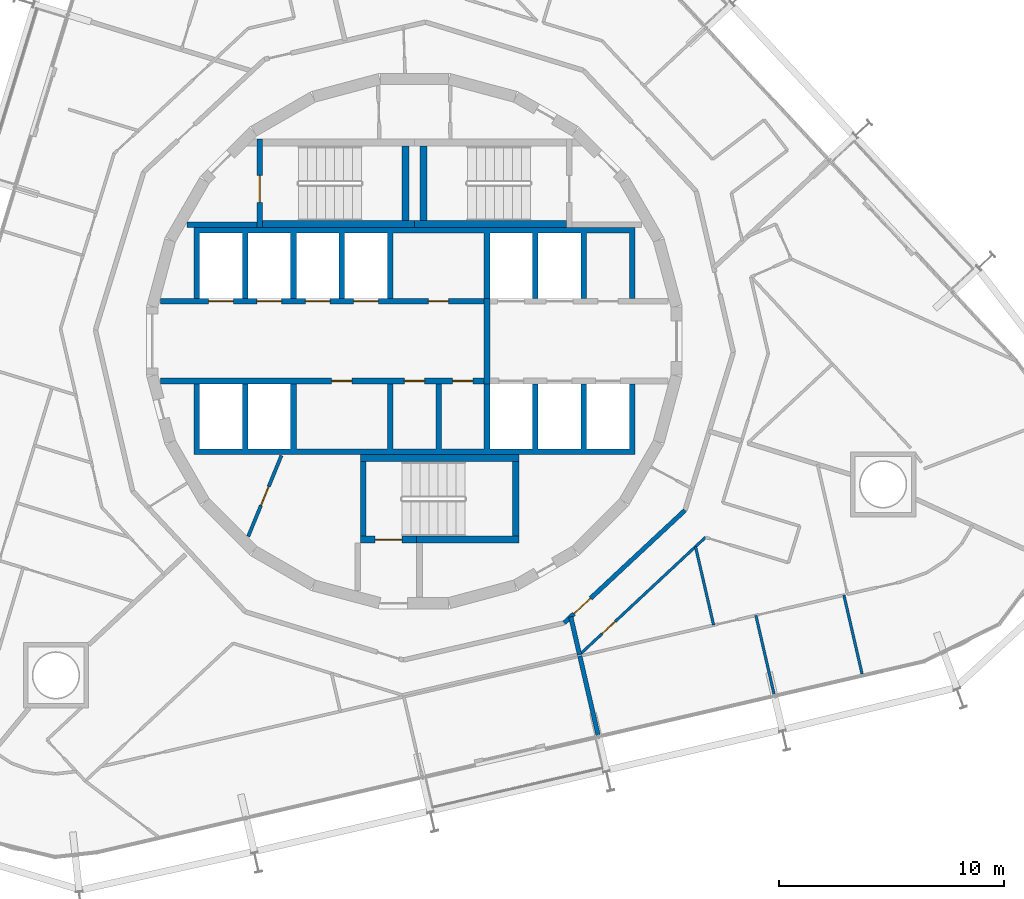
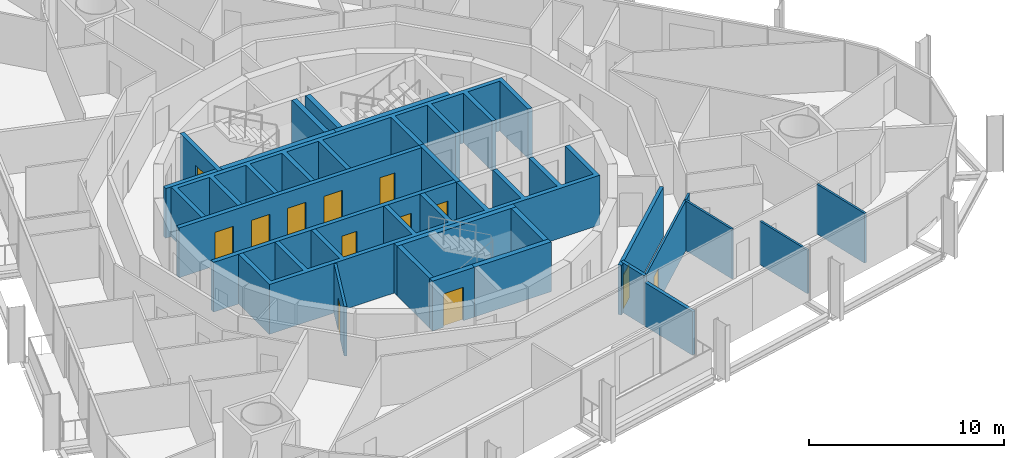
# One storey, part 13 of 18: 24 walls, 13 doors, 13 openings.
"""IFC4 building model written with IfcOpenShell, lengths in metres."""

import ifcopenshell
import ifcopenshell.guid

model = None  # the IFC model being written
_history = None  # IfcOwnerHistory: only IFC2X3 demands one
_inside = {}  # id of a spatial element -> (the spatial element, [elements in it])
_under = {}  # id of a project, library or spatial element -> (it, [spatial elements below it])
_declared = {}  # id of a project -> (the project, [libraries it declares])
_typed = {}  # id of a type object -> (the type object, [elements of that type])
_made_of = {}  # id of a material, layer set ... -> (it, [elements and type objects made of it])


def new_model(schema):
    """Start an empty IFC model of exactly this schema.

    Asked for "IFC4X3", IfcOpenShell would pick the latest addendum, in which some entities
    have other attributes; the version numbers below select the first issue.
    IFC2X3 requires an IfcOwnerHistory on every rooted entity: one is made here for all.
    """
    global model, _history
    if schema == "IFC4X3":
        model = ifcopenshell.file(schema_version=(4, 3, 0, 0))
    else:
        model = ifcopenshell.file(schema=schema)
    _inside.clear()
    _under.clear()
    _declared.clear()
    _typed.clear()
    _made_of.clear()
    _history = None
    if model.schema == "IFC2X3":
        org = make("IfcOrganization", Name="unknown")
        user = make(
            "IfcPersonAndOrganization",
            ThePerson=make("IfcPerson", FamilyName="unknown"),
            TheOrganization=org,
        )
        app = make(
            "IfcApplication",
            ApplicationDeveloper=org,
            Version="unknown",
            ApplicationFullName="unknown",
            ApplicationIdentifier="unknown",
        )
        _history = make(
            "IfcOwnerHistory",
            OwningUser=user,
            OwningApplication=app,
            ChangeAction="ADDED",
            CreationDate=0,
        )
    return model


def make(cls, **values):
    """One entity of the class cls with the attributes given. An attribute that is None is left unset."""
    return model.create_entity(
        cls, **{name: value for name, value in values.items() if value is not None}
    )


def rooted(cls, **values):
    """An entity with a GlobalId (a new one), such as an element, a storey or a relation."""
    return make(cls, GlobalId=ifcopenshell.guid.new(), OwnerHistory=_history, **values)


def si_unit(unit_type, name, prefix=None):
    """IfcSIUnit, for example si_unit("LENGTHUNIT", "METRE", prefix="MILLI")."""
    return make("IfcSIUnit", UnitType=unit_type, Prefix=prefix, Name=name)


def assignment(units):
    """IfcUnitAssignment: the units of a project."""
    return None if units is None else make("IfcUnitAssignment", Units=units)


def point(xyz):
    """IfcCartesianPoint."""
    return None if xyz is None else make("IfcCartesianPoint", Coordinates=xyz)


def direction(xyz):
    """IfcDirection."""
    return None if xyz is None else make("IfcDirection", DirectionRatios=xyz)


def frame(location, z_axis=None, x_axis=None):
    """IfcAxis2Placement3D, a coordinate frame: its origin and axes. An axis left out is left unset."""
    return make(
        "IfcAxis2Placement3D",
        Location=point(location),
        Axis=direction(z_axis),
        RefDirection=direction(x_axis),
    )


def frame_2d(location, x_axis=None):
    """IfcAxis2Placement2D, a coordinate frame in the plane: its origin and x axis."""
    return make(
        "IfcAxis2Placement2D", Location=point(location), RefDirection=direction(x_axis)
    )


def origin():
    """The frame at (0, 0, 0) with its axes left unset."""
    return frame((0.0, 0.0, 0.0))


def place(relative_to, where):
    """IfcLocalPlacement: puts the frame where relative to a parent placement (None: the world)."""
    return make(
        "IfcLocalPlacement", PlacementRelTo=relative_to, RelativePlacement=where
    )


def context(
    kind, dimensions, precision=None, world=None, true_north=None, identifier=None
):
    """IfcGeometricRepresentationContext, for example the 3D "Model" context."""
    return make(
        "IfcGeometricRepresentationContext",
        ContextIdentifier=identifier,
        ContextType=kind,
        CoordinateSpaceDimension=dimensions,
        Precision=precision,
        WorldCoordinateSystem=world,
        TrueNorth=true_north,
    )


def subcontext(parent, identifier, kind, view, scale=None):
    """IfcGeometricRepresentationSubContext, for example "Body" below "Model"."""
    return make(
        "IfcGeometricRepresentationSubContext",
        ContextIdentifier=identifier,
        ContextType=kind,
        ParentContext=parent,
        TargetScale=scale,
        TargetView=view,
    )


def project(units=None, contexts=None):
    """IfcProject with its units and contexts."""
    return rooted(
        "IfcProject",
        Name="project",
        RepresentationContexts=contexts,
        UnitsInContext=assignment(units),
    )


def spatial(cls, under=None, at=None, **own):
    """A site, building, storey or space (cls), placed at a placement, below another one or the project."""
    s = rooted(cls, ObjectPlacement=at, **own)
    if under is not None:
        _under.setdefault(under.id(), (under, []))[1].append(s)
    return s


def polyline(points):
    """IfcPolyline through the points."""
    return make("IfcPolyline", Points=[point(p) for p in points])


def profile(cls, at=None, kind="AREA", **sizes):
    """A parametric profile (cls). Its sizes go by their IFC names, for example OverallWidth=200.0."""
    return make(cls, ProfileType=kind, Position=at, **sizes)


def rectangle(**sizes):
    """IfcRectangleProfileDef."""
    return profile("IfcRectangleProfileDef", **sizes)


def outline(outer, holes=None, kind="AREA"):
    """IfcArbitraryClosedProfileDef: a profile drawn as a closed curve; with holes, ...WithVoids."""
    if holes is None:
        return make("IfcArbitraryClosedProfileDef", ProfileType=kind, OuterCurve=outer)
    return make(
        "IfcArbitraryProfileDefWithVoids",
        ProfileType=kind,
        OuterCurve=outer,
        InnerCurves=holes,
    )


def extrude(swept, where, along, depth):
    """IfcExtrudedAreaSolid: the profile swept, set in the frame where, extruded along a direction by depth."""
    return make(
        "IfcExtrudedAreaSolid",
        SweptArea=swept,
        Position=where,
        ExtrudedDirection=direction(along),
        Depth=depth,
    )


def shape(context_of_items, identifier, shape_type, items):
    """IfcShapeRepresentation: the items that make up one representation, for example the "Body"."""
    return make(
        "IfcShapeRepresentation",
        ContextOfItems=context_of_items,
        RepresentationIdentifier=identifier,
        RepresentationType=shape_type,
        Items=items,
    )


def material(Name=None, Category=None):
    """IfcMaterial."""
    return make("IfcMaterial", Name=Name, Category=Category)


def layer(
    of_material, thickness, ventilated=None, Name=None, Category=None, Priority=None
):
    """IfcMaterialLayer: one layer of a wall or slab, of a material (None: an air gap)."""
    return make(
        "IfcMaterialLayer",
        Material=of_material,
        LayerThickness=thickness,
        IsVentilated=ventilated,
        Name=Name,
        Category=Category,
        Priority=Priority,
    )


def layer_set(layers, Name=None):
    """IfcMaterialLayerSet."""
    return make("IfcMaterialLayerSet", MaterialLayers=layers, LayerSetName=Name)


def made_of(thing, what):
    """Note that an element or type object is made of a material, layer set ...; save() writes the relation."""
    if what is not None:
        _made_of.setdefault(what.id(), (what, []))[1].append(thing)
    return thing


def type_object(cls, material=None, **own):
    """A type object (cls), such as IfcWallType, which elements share."""
    return made_of(rooted(cls, **own), material)


def element(
    cls,
    number,
    at=None,
    inside=None,
    cuts=None,
    type_object=None,
    material=None,
    context=None,
    identifier="Body",
    shape_type=None,
    held_by="IfcProductDefinitionShape",
    body=None,
    shapes=None,
    **own,
):
    """One element of the class cls, such as IfcWall. Its Tag is "e" and its number.

    at: its placement. inside: the storey or other place that contains it. cuts: it is an
    opening in that element (IfcRelVoidsElement). A single representation is given by context,
    identifier, shape_type and body (its items); several are given by shapes. held_by: the class
    of the entity that holds the representations. save() writes the other relations.
    """
    e = rooted(cls, Tag="e%d" % number, ObjectPlacement=at, **own)
    if body is not None:
        shapes = [shape(context, identifier, shape_type, body)]
    if shapes is not None:
        e.Representation = make(held_by, Representations=shapes)
    if inside is not None:
        _inside.setdefault(inside.id(), (inside, []))[1].append(e)
    if cuts is not None:
        rooted(
            "IfcRelVoidsElement", RelatingBuildingElement=cuts, RelatedOpeningElement=e
        )
    if type_object is not None:
        _typed.setdefault(type_object.id(), (type_object, []))[1].append(e)
    return made_of(e, material)


def fill(opening, filler):
    """IfcRelFillsElement: the door or window that sits in an opening."""
    return rooted(
        "IfcRelFillsElement",
        RelatingOpeningElement=opening,
        RelatedBuildingElement=filler,
    )


def aggregate(whole, parts):
    """IfcRelAggregates: a whole, such as a stair, and the parts it consists of."""
    return rooted("IfcRelAggregates", RelatingObject=whole, RelatedObjects=parts)


def save(model, path):
    """Write the relations noted so far, then the file.

    IfcRelAggregates (storeys below a building ...), IfcRelContainedInSpatialStructure (elements
    in a storey), IfcRelDefinesByType, IfcRelAssociatesMaterial and IfcRelDeclares: one each for
    every whole, place, type object, material and project.
    """
    for whole, parts in _under.values():
        aggregate(whole, parts)
    for where, things in _inside.values():
        rooted(
            "IfcRelContainedInSpatialStructure",
            RelatedElements=things,
            RelatingStructure=where,
        )
    for kind, things in _typed.values():
        rooted("IfcRelDefinesByType", RelatedObjects=things, RelatingType=kind)
    for what, things in _made_of.values():
        rooted("IfcRelAssociatesMaterial", RelatedObjects=things, RelatingMaterial=what)
    for by, libraries in _declared.values():
        rooted("IfcRelDeclares", RelatingContext=by, RelatedDefinitions=libraries)
    model.write(path)


model = new_model("IFC4")

# Units and contexts
model_context = context("Model", 3, precision=1e-05, world=origin(), true_north=direction((0.0, 1.0)))
body_context = subcontext(model_context, "Body", "Model", "MODEL_VIEW")
ifc_project = project(units=[si_unit("LENGTHUNIT", "METRE"), si_unit("AREAUNIT", "SQUARE_METRE"), si_unit("VOLUMEUNIT", "CUBIC_METRE"), si_unit("PLANEANGLEUNIT", "RADIAN"), si_unit("MASSUNIT", "GRAM", prefix="KILO")], contexts=[model_context])

# Site, building, storey
site_placement = place(None, origin())
site = spatial("IfcSite", under=ifc_project, at=site_placement, CompositionType="ELEMENT")
building_placement = place(site_placement, origin())
building = spatial("IfcBuilding", under=site, at=building_placement, Name="Spindle Arch Residences", CompositionType="ELEMENT")
storey_placement = place(building_placement, frame((0.0, 0.0, 123.89990234375)))
storey = spatial("IfcBuildingStorey", under=building, at=storey_placement, Name="L30", CompositionType="ELEMENT", Elevation=123.89990234375)

# Wall, opening, door
ifc_material_1 = material(Name="Calcium silicate block, plastered")
ifc_layer_1 = layer(ifc_material_1, 0.199951171875)
ifc_layer_set_1 = layer_set([ifc_layer_1], Name="Corridor wall 200")
wall_type_1 = type_object("IfcWallType", Name="Corridor wall 200", PredefinedType="STANDARD", material=ifc_layer_set_1)
wall_1_placement = place(storey_placement, frame((6.65869140625, -12.523193359375, 0.0), z_axis=(0.0, 0.0, 1.0), x_axis=(0.731350455479, 0.682001841105, 0.0)))
wall_1 = element("IfcWall", 1, at=wall_1_placement, inside=storey, type_object=wall_type_1, Name="Corridor wall R3B1-W015", PredefinedType="STANDARD", context=body_context, shape_type="SweptSolid", body=[
    extrude(rectangle(XDim=7.341796875, YDim=0.199951171875, at=frame_2d((3.6708984375, 0.0))), origin(), (0.0, 0.0, 1.0), 3.1201171875),
])
opening_1_placement = place(wall_1_placement, frame((0.596923828125, 0.0, 0.0)))
opening_1 = element("IfcOpeningElement", 2, at=opening_1_placement, cuts=wall_1, Name="Opening R3B1-FD05", PredefinedType="OPENING", context=body_context, shape_type="SweptSolid", body=[
    extrude(rectangle(XDim=1.0, YDim=2.10009765625, at=frame_2d((0.5, 1.050048828125))), frame((0.0, 0.10986328125, 0.0), z_axis=(0.0, -1.0, 0.0), x_axis=(1.0, 0.0, 0.0)), (0.0, 0.0, 1.0), 0.219970703125),
])
ifc_material_2 = material(Name="Timber, fire-resisting door set", Category="wood")
door_type_1 = type_object("IfcDoorType", Name="Flat entrance door 1000x2100", OperationType="NOTDEFINED", PredefinedType="DOOR", material=ifc_material_2)
door_1_placement = place(opening_1_placement, origin())
door_1 = element("IfcDoor", 3, at=door_1_placement, inside=storey, type_object=door_type_1, Name="Flat entrance door R3B1-FD05", OperationType="SINGLE_SWING_RIGHT", OverallHeight=2.10009765625, OverallWidth=1.0, PredefinedType="DOOR", context=body_context, shape_type="SweptSolid", body=[
    extrude(rectangle(XDim=1.0, YDim=2.10009765625, at=frame_2d((0.5, 1.050048828125))), frame((0.0, 0.02490234375, 0.0), z_axis=(0.0, -1.0, 0.0), x_axis=(1.0, 0.0, 0.0)), (0.0, 0.0, 1.0), 0.050048828125),
])
fill(opening_1, door_1)

# Wall
ifc_material_3 = material(Name="Concrete C40/50", Category="concrete")
ifc_layer_2 = layer(ifc_material_3, 0.25)
ifc_layer_set_2 = layer_set([ifc_layer_2], Name="Fire-lift lobby wall 250")
wall_type_2 = type_object("IfcWallType", Name="Fire-lift lobby wall 250", PredefinedType="SHEAR", material=ifc_layer_set_2)
wall_2_placement = place(storey_placement, frame((3.22509765625, -1.89990234375, 0.0), z_axis=(0.0, 0.0, 1.0), x_axis=(0.0, 1.0, 0.0)))
element("IfcWall", 4, at=wall_2_placement, inside=storey, type_object=wall_type_2, Name="Fire-fighting lobby partition", PredefinedType="SHEAR", context=body_context, shape_type="SweptSolid", body=[
    extrude(rectangle(XDim=3.7998046875, YDim=0.25, at=frame_2d((1.89990234375, 0.0))), origin(), (0.0, 0.0, 1.0), 3.1201171875),
])

# Wall, opening, door
ifc_material_4 = material(Name="Plasterboard on steel studs", Category="steel")
ifc_layer_3 = layer(ifc_material_4, 0.1201171875)
ifc_layer_set_3 = layer_set([ifc_layer_3], Name="Flat partition 120")
wall_type_3 = type_object("IfcWallType", Name="Flat partition 120", PredefinedType="PARTITIONING", material=ifc_layer_set_3)
wall_3_placement = place(storey_placement, frame((7.3876953125, -13.894287109375, 0.0), z_axis=(0.0, 0.0, 1.0), x_axis=(0.731346321845, 0.682006273815, 0.0)))
wall_3 = element("IfcWall", 5, at=wall_3_placement, inside=storey, type_object=wall_type_3, Name="Flat partition R3B1-W085", PredefinedType="PARTITIONING", context=body_context, shape_type="SweptSolid", body=[
    extrude(rectangle(XDim=7.58544921875, YDim=0.1201171875, at=frame_2d((3.792724609375, 0.0))), origin(), (0.0, 0.0, 1.0), 3.1201171875),
])
opening_2_placement = place(wall_3_placement, frame((1.300048828125, 0.0, 0.0)))
opening_2 = element("IfcOpeningElement", 6, at=opening_2_placement, cuts=wall_3, Name="Opening R3B1-BD06", PredefinedType="OPENING", context=body_context, shape_type="SweptSolid", body=[
    extrude(rectangle(XDim=0.800048828125, YDim=2.10009765625, at=frame_2d((0.39990234375, 1.050048828125))), frame((0.0, 0.070068359375, 0.0), z_axis=(0.0, -1.0, 0.0), x_axis=(1.0, 0.0, 0.0)), (0.0, 0.0, 1.0), 0.14013671875),
])
ifc_material_5 = material(Name="Timber door set", Category="wood")
door_type_2 = type_object("IfcDoorType", Name="Bathroom door 800x2100", OperationType="NOTDEFINED", PredefinedType="DOOR", material=ifc_material_5)
door_2_placement = place(opening_2_placement, origin())
door_2 = element("IfcDoor", 7, at=door_2_placement, inside=storey, type_object=door_type_2, Name="Bathroom door R3B1-BD06", OperationType="SINGLE_SWING_RIGHT", OverallHeight=2.10009765625, OverallWidth=0.800048828125, PredefinedType="DOOR", context=body_context, shape_type="SweptSolid", body=[
    extrude(rectangle(XDim=0.800048828125, YDim=2.10009765625, at=frame_2d((0.39990234375, 1.050048828125))), frame((0.0, 0.02490234375, 0.0), z_axis=(0.0, -1.0, 0.0), x_axis=(1.0, 0.0, 0.0)), (0.0, 0.0, 1.0), 0.050048828125),
])
fill(opening_2, door_2)

# Walls
wall_4_placement = place(storey_placement, frame((13.29833984375, -12.622802734375, 0.0), z_axis=(0.0, 0.0, 1.0), x_axis=(-0.22499394936, 0.974360160696, 0.0)))
element("IfcWall", 8, at=wall_4_placement, inside=storey, type_object=wall_type_3, Name="Flat partition R3B1-W091", PredefinedType="PARTITIONING", context=body_context, shape_type="SweptSolid", body=[
    extrude(rectangle(XDim=3.580810546875, YDim=0.1201171875, at=frame_2d((1.79052734375, 0.0))), origin(), (0.0, 0.0, 1.0), 3.1201171875),
])
wall_5_placement = place(storey_placement, frame((19.896240234375, -14.794189453125, 0.0), z_axis=(0.0, 0.0, 1.0), x_axis=(-0.224958568294, 0.974368330023, 0.0)))
element("IfcWall", 9, at=wall_5_placement, inside=storey, type_object=wall_type_3, Name="Flat partition R3B1-W092", PredefinedType="PARTITIONING", context=body_context, shape_type="SweptSolid", body=[
    extrude(rectangle(XDim=3.599853515625, YDim=0.1201171875, at=frame_2d((1.7998046875, 0.0))), origin(), (0.0, 0.0, 1.0), 3.1201171875),
])
ifc_material_6 = material(Name="Plasterboard on steel studs", Category="steel")
ifc_layer_4 = layer(ifc_material_6, 0.1201171875)
ifc_layer_set_4 = layer_set([ifc_layer_4], Name="Flat partition 120 under beam 2730")
wall_type_4 = type_object("IfcWallType", Name="Flat partition 120 under beam 2730", PredefinedType="PARTITIONING", material=ifc_layer_set_4)
wall_6_placement = place(storey_placement, frame((15.984619140625, -15.697509765625, 0.0), z_axis=(0.0, 0.0, 1.0), x_axis=(-0.224943703639, 0.9743717618, 0.0)))
element("IfcWall", 10, at=wall_6_placement, inside=storey, type_object=wall_type_4, Name="Flat partition R3B1-W090", PredefinedType="PARTITIONING", context=body_context, shape_type="SweptSolid", body=[
    extrude(rectangle(XDim=3.60009765625, YDim=0.1201171875, at=frame_2d((1.800048828125, 0.0))), origin(), (0.0, 0.0, 1.0), 2.72998046875),
])
ifc_material_7 = material(Name="Calcium silicate block, plastered")
ifc_layer_5 = layer(ifc_material_7, 0.199951171875)
ifc_layer_set_5 = layer_set([ifc_layer_5], Name="Flat party wall 200")
wall_type_5 = type_object("IfcWallType", Name="Flat party wall 200", PredefinedType="STANDARD", material=ifc_layer_set_5)
wall_7_placement = place(storey_placement, frame((7.33984375, -13.9462890625, 0.0), z_axis=(0.0, 0.0, 1.0), x_axis=(-0.224849249613, 0.974393562658, 0.0)))
element("IfcWall", 11, at=wall_7_placement, inside=storey, type_object=wall_type_5, Name="Flat party wall R3B1-W022", PredefinedType="STANDARD", context=body_context, shape_type="SweptSolid", body=[
    extrude(rectangle(XDim=1.73828125, YDim=0.199951171875, at=frame_2d((0.869140625, 0.0))), origin(), (0.0, 0.0, 1.0), 3.1201171875),
])
ifc_material_8 = material(Name="Calcium silicate block, plastered")
ifc_layer_6 = layer(ifc_material_8, 0.199951171875)
ifc_layer_set_6 = layer_set([ifc_layer_6], Name="Flat party wall 200 under beam 2730")
wall_type_6 = type_object("IfcWallType", Name="Flat party wall 200 under beam 2730", PredefinedType="STANDARD", material=ifc_layer_set_6)
wall_8_placement = place(storey_placement, frame((8.1611328125, -17.503662109375, 0.0), z_axis=(0.0, 0.0, 1.0), x_axis=(-0.224943703639, 0.9743717618, 0.0)))
element("IfcWall", 12, at=wall_8_placement, inside=storey, type_object=wall_type_6, Name="Flat party wall R3B1-W023", PredefinedType="STANDARD", context=body_context, shape_type="SweptSolid", body=[
    extrude(rectangle(XDim=3.60009765625, YDim=0.199951171875, at=frame_2d((1.800048828125, 0.0))), origin(), (0.0, 0.0, 1.0), 2.72998046875),
])

# Wall, openings, doors
ifc_material_9 = material(Name="Concrete C50/60", Category="concrete")
ifc_layer_7 = layer(ifc_material_9, 0.25)
ifc_layer_set_7 = layer_set([ifc_layer_7], Name="Lift shaft wall 250")
wall_type_7 = type_object("IfcWallType", Name="Lift shaft wall 250", PredefinedType="SHEAR", material=ifc_layer_set_7)
wall_9_placement = place(storey_placement, frame((-11.280029296875, 1.77490234375, 0.0), z_axis=(0.0, 0.0, 1.0), x_axis=(1.0, 0.0, 0.0)))
wall_9 = element("IfcWall", 13, at=wall_9_placement, inside=storey, type_object=wall_type_7, Name="Lift shaft front wall NW", PredefinedType="SHEAR", context=body_context, shape_type="SweptSolid", body=[
    extrude(rectangle(XDim=14.380126953125, YDim=0.25, at=frame_2d((7.18994140625, 0.0))), origin(), (0.0, 0.0, 1.0), 3.1201171875),
])
opening_3_placement = place(wall_9_placement, frame((2.1298828125, 0.0, 0.0)))
opening_3 = element("IfcOpeningElement", 14, at=opening_3_placement, cuts=wall_9, Name="Opening R3B1-LD01", PredefinedType="OPENING", context=body_context, shape_type="SweptSolid", body=[
    extrude(rectangle(XDim=1.10009765625, YDim=2.10009765625, at=frame_2d((0.550048828125, 1.050048828125))), frame((0.0, 0.135009765625, 0.0), z_axis=(0.0, -1.0, 0.0), x_axis=(1.0, 0.0, 0.0)), (0.0, 0.0, 1.0), 0.27001953125),
])
opening_4_placement = place(wall_9_placement, frame((4.280029296875, 0.0, 0.0)))
opening_4 = element("IfcOpeningElement", 15, at=opening_4_placement, cuts=wall_9, Name="Opening R3B1-LD02", PredefinedType="OPENING", context=body_context, shape_type="SweptSolid", body=[
    extrude(rectangle(XDim=1.10009765625, YDim=2.10009765625, at=frame_2d((0.550048828125, 1.050048828125))), frame((0.0, 0.135009765625, 0.0), z_axis=(0.0, -1.0, 0.0), x_axis=(1.0, 0.0, 0.0)), (0.0, 0.0, 1.0), 0.27001953125),
])
opening_5_placement = place(wall_9_placement, frame((6.429931640625, 0.0, 0.0)))
opening_5 = element("IfcOpeningElement", 16, at=opening_5_placement, cuts=wall_9, Name="Opening R3B1-LD03", PredefinedType="OPENING", context=body_context, shape_type="SweptSolid", body=[
    extrude(rectangle(XDim=1.10009765625, YDim=2.10009765625, at=frame_2d((0.550048828125, 1.050048828125))), frame((0.0, 0.135009765625, 0.0), z_axis=(0.0, -1.0, 0.0), x_axis=(1.0, 0.0, 0.0)), (0.0, 0.0, 1.0), 0.27001953125),
])
opening_6_placement = place(wall_9_placement, frame((8.580078125, 0.0, 0.0)))
opening_6 = element("IfcOpeningElement", 17, at=opening_6_placement, cuts=wall_9, Name="Opening R3B1-LD04", PredefinedType="OPENING", context=body_context, shape_type="SweptSolid", body=[
    extrude(rectangle(XDim=1.10009765625, YDim=2.10009765625, at=frame_2d((0.550048828125, 1.050048828125))), frame((0.0, 0.135009765625, 0.0), z_axis=(0.0, -1.0, 0.0), x_axis=(1.0, 0.0, 0.0)), (0.0, 0.0, 1.0), 0.27001953125),
])
opening_7_placement = place(wall_9_placement, frame((11.905029296875, 0.0, 0.0)))
opening_7 = element("IfcOpeningElement", 18, at=opening_7_placement, cuts=wall_9, Name="Opening R3B1-WD01", PredefinedType="OPENING", context=body_context, shape_type="SweptSolid", body=[
    extrude(rectangle(XDim=0.89990234375, YDim=2.10009765625, at=frame_2d((0.449951171875, 1.050048828125))), frame((0.0, 0.135009765625, 0.0), z_axis=(0.0, -1.0, 0.0), x_axis=(1.0, 0.0, 0.0)), (0.0, 0.0, 1.0), 0.27001953125),
])
ifc_material_10 = material(Name="Steel, fire-resisting landing door", Category="steel")
door_type_3 = type_object("IfcDoorType", Name="Lift landing door 1100x2100", OperationType="DOUBLE_DOOR_SLIDING", PredefinedType="DOOR", material=ifc_material_10)
door_3_placement = place(opening_3_placement, origin())
door_3 = element("IfcDoor", 19, at=door_3_placement, inside=storey, type_object=door_type_3, Name="Lift landing door R3B1-LD01", OperationType="DOUBLE_DOOR_SLIDING", OverallHeight=2.10009765625, OverallWidth=1.10009765625, PredefinedType="DOOR", context=body_context, shape_type="SweptSolid", body=[
    extrude(rectangle(XDim=1.10009765625, YDim=2.10009765625, at=frame_2d((0.550048828125, 1.050048828125))), frame((0.0, 0.02490234375, 0.0), z_axis=(0.0, -1.0, 0.0), x_axis=(1.0, 0.0, 0.0)), (0.0, 0.0, 1.0), 0.050048828125),
])
fill(opening_3, door_3)
door_4_placement = place(opening_4_placement, origin())
door_4 = element("IfcDoor", 20, at=door_4_placement, inside=storey, type_object=door_type_3, Name="Lift landing door R3B1-LD02", OperationType="DOUBLE_DOOR_SLIDING", OverallHeight=2.10009765625, OverallWidth=1.10009765625, PredefinedType="DOOR", context=body_context, shape_type="SweptSolid", body=[
    extrude(rectangle(XDim=1.10009765625, YDim=2.10009765625, at=frame_2d((0.550048828125, 1.050048828125))), frame((0.0, 0.02490234375, 0.0), z_axis=(0.0, -1.0, 0.0), x_axis=(1.0, 0.0, 0.0)), (0.0, 0.0, 1.0), 0.050048828125),
])
fill(opening_4, door_4)
door_5_placement = place(opening_5_placement, origin())
door_5 = element("IfcDoor", 21, at=door_5_placement, inside=storey, type_object=door_type_3, Name="Lift landing door R3B1-LD03", OperationType="DOUBLE_DOOR_SLIDING", OverallHeight=2.10009765625, OverallWidth=1.10009765625, PredefinedType="DOOR", context=body_context, shape_type="SweptSolid", body=[
    extrude(rectangle(XDim=1.10009765625, YDim=2.10009765625, at=frame_2d((0.550048828125, 1.050048828125))), frame((0.0, 0.02490234375, 0.0), z_axis=(0.0, -1.0, 0.0), x_axis=(1.0, 0.0, 0.0)), (0.0, 0.0, 1.0), 0.050048828125),
])
fill(opening_5, door_5)
door_6_placement = place(opening_6_placement, origin())
door_6 = element("IfcDoor", 22, at=door_6_placement, inside=storey, type_object=door_type_3, Name="Lift landing door R3B1-LD04", OperationType="DOUBLE_DOOR_SLIDING", OverallHeight=2.10009765625, OverallWidth=1.10009765625, PredefinedType="DOOR", context=body_context, shape_type="SweptSolid", body=[
    extrude(rectangle(XDim=1.10009765625, YDim=2.10009765625, at=frame_2d((0.550048828125, 1.050048828125))), frame((0.0, 0.02490234375, 0.0), z_axis=(0.0, -1.0, 0.0), x_axis=(1.0, 0.0, 0.0)), (0.0, 0.0, 1.0), 0.050048828125),
])
fill(opening_6, door_6)
ifc_material_11 = material(Name="Steel, fire-resisting door", Category="steel")
door_type_4 = type_object("IfcDoorType", Name="Service room door 900x2100", OperationType="SINGLE_SWING_LEFT", PredefinedType="DOOR", material=ifc_material_11)
door_7_placement = place(opening_7_placement, origin())
door_7 = element("IfcDoor", 23, at=door_7_placement, inside=storey, type_object=door_type_4, Name="Service room door R3B1-WD01", OperationType="SINGLE_SWING_RIGHT", OverallHeight=2.10009765625, OverallWidth=0.89990234375, PredefinedType="DOOR", context=body_context, shape_type="SweptSolid", body=[
    extrude(rectangle(XDim=0.89990234375, YDim=2.10009765625, at=frame_2d((0.449951171875, 1.050048828125))), frame((0.0, 0.02490234375, 0.0), z_axis=(0.0, -1.0, 0.0), x_axis=(1.0, 0.0, 0.0)), (0.0, 0.0, 1.0), 0.050048828125),
])
fill(opening_7, door_7)

wall_10_placement = place(storey_placement, frame((-11.280029296875, -1.77490234375, 0.0), z_axis=(0.0, 0.0, 1.0), x_axis=(1.0, 0.0, 0.0)))
wall_10 = element("IfcWall", 24, at=wall_10_placement, inside=storey, type_object=wall_type_7, Name="Lift shaft front wall SW", PredefinedType="SHEAR", context=body_context, shape_type="SweptSolid", body=[
    extrude(rectangle(XDim=14.380126953125, YDim=0.25, at=frame_2d((7.18994140625, 0.0))), origin(), (0.0, 0.0, 1.0), 3.1201171875),
])
opening_8_placement = place(wall_10_placement, frame((7.60498046875, 0.0, 0.0)))
opening_8 = element("IfcOpeningElement", 25, at=opening_8_placement, cuts=wall_10, Name="Opening R3B1-WD03", PredefinedType="OPENING", context=body_context, shape_type="SweptSolid", body=[
    extrude(rectangle(XDim=0.89990234375, YDim=2.10009765625, at=frame_2d((0.449951171875, 1.050048828125))), frame((0.0, 0.135009765625, 0.0), z_axis=(0.0, -1.0, 0.0), x_axis=(1.0, 0.0, 0.0)), (0.0, 0.0, 1.0), 0.27001953125),
])
opening_9_placement = place(wall_10_placement, frame((10.830078125, 0.0, 0.0)))
opening_9 = element("IfcOpeningElement", 26, at=opening_9_placement, cuts=wall_10, Name="Opening R3B1-WD04", PredefinedType="OPENING", context=body_context, shape_type="SweptSolid", body=[
    extrude(rectangle(XDim=0.89990234375, YDim=2.10009765625, at=frame_2d((0.449951171875, 1.050048828125))), frame((0.0, 0.135009765625, 0.0), z_axis=(0.0, -1.0, 0.0), x_axis=(1.0, 0.0, 0.0)), (0.0, 0.0, 1.0), 0.27001953125),
])
opening_10_placement = place(wall_10_placement, frame((12.97998046875, 0.0, 0.0)))
opening_10 = element("IfcOpeningElement", 27, at=opening_10_placement, cuts=wall_10, Name="Opening R3B1-WD05", PredefinedType="OPENING", context=body_context, shape_type="SweptSolid", body=[
    extrude(rectangle(XDim=0.89990234375, YDim=2.10009765625, at=frame_2d((0.449951171875, 1.050048828125))), frame((0.0, 0.135009765625, 0.0), z_axis=(0.0, -1.0, 0.0), x_axis=(1.0, 0.0, 0.0)), (0.0, 0.0, 1.0), 0.27001953125),
])
door_8_placement = place(opening_8_placement, origin())
door_8 = element("IfcDoor", 28, at=door_8_placement, inside=storey, type_object=door_type_4, Name="Service room door R3B1-WD03", OperationType="SINGLE_SWING_RIGHT", OverallHeight=2.10009765625, OverallWidth=0.89990234375, PredefinedType="DOOR", context=body_context, shape_type="SweptSolid", body=[
    extrude(rectangle(XDim=0.89990234375, YDim=2.10009765625, at=frame_2d((0.449951171875, 1.050048828125))), frame((0.0, 0.02490234375, 0.0), z_axis=(0.0, -1.0, 0.0), x_axis=(1.0, 0.0, 0.0)), (0.0, 0.0, 1.0), 0.050048828125),
])
fill(opening_8, door_8)
door_9_placement = place(opening_9_placement, origin())
door_9 = element("IfcDoor", 29, at=door_9_placement, inside=storey, type_object=door_type_4, Name="Service room door R3B1-WD04", OperationType="SINGLE_SWING_LEFT", OverallHeight=2.10009765625, OverallWidth=0.89990234375, PredefinedType="DOOR", context=body_context, shape_type="SweptSolid", body=[
    extrude(rectangle(XDim=0.89990234375, YDim=2.10009765625, at=frame_2d((0.449951171875, 1.050048828125))), frame((0.0, 0.02490234375, 0.0), z_axis=(0.0, -1.0, 0.0), x_axis=(1.0, 0.0, 0.0)), (0.0, 0.0, 1.0), 0.050048828125),
])
fill(opening_9, door_9)
door_10_placement = place(opening_10_placement, origin())
door_10 = element("IfcDoor", 30, at=door_10_placement, inside=storey, type_object=door_type_4, Name="Service room door R3B1-WD05", OperationType="SINGLE_SWING_RIGHT", OverallHeight=2.10009765625, OverallWidth=0.89990234375, PredefinedType="DOOR", context=body_context, shape_type="SweptSolid", body=[
    extrude(rectangle(XDim=0.89990234375, YDim=2.10009765625, at=frame_2d((0.449951171875, 1.050048828125))), frame((0.0, 0.02490234375, 0.0), z_axis=(0.0, -1.0, 0.0), x_axis=(1.0, 0.0, 0.0)), (0.0, 0.0, 1.0), 0.050048828125),
])
fill(opening_10, door_10)

# Walls
ifc_material_12 = material(Name="Concrete C50/60", Category="concrete")
wall_type_8 = type_object("IfcWallType", Name="Lift shaft wall profile", PredefinedType="SHEAR", material=ifc_material_12)
wall_11_placement = place(storey_placement, origin())
element("IfcWall", 31, at=wall_11_placement, inside=storey, type_object=wall_type_8, Name="Lift shaft walls N", PredefinedType="SHEAR", context=body_context, shape_type="SweptSolid", body=[
    extrude(outline(polyline([(-9.550048828125, 4.800048828125), (-7.64990234375, 4.800048828125), (-7.64990234375, 1.89990234375), (-7.39990234375, 1.89990234375), (-7.39990234375, 4.800048828125), (-5.5, 4.800048828125), (-5.5, 1.89990234375), (-5.25, 1.89990234375), (-5.25, 4.800048828125), (-3.35009765625, 4.800048828125), (-3.35009765625, 1.89990234375), (-3.10009765625, 1.89990234375), (-3.10009765625, 4.800048828125), (-1.199951171875, 4.800048828125), (-1.199951171875, 1.89990234375), (-0.949951171875, 1.89990234375), (-0.949951171875, 4.800048828125), (3.10009765625, 4.800048828125), (3.10009765625, 1.89990234375), (3.35009765625, 1.89990234375), (3.35009765625, 4.800048828125), (5.25, 4.800048828125), (5.25, 1.89990234375), (5.5, 1.89990234375), (5.5, 4.800048828125), (7.39990234375, 4.800048828125), (7.39990234375, 1.89990234375), (7.64990234375, 1.89990234375), (7.64990234375, 4.800048828125), (9.550048828125, 4.800048828125), (9.550048828125, 1.89990234375), (9.800048828125, 1.89990234375), (9.800048828125, 4.800048828125), (9.800048828125, 5.050048828125), (-9.800048828125, 5.050048828125), (-9.800048828125, 4.800048828125), (-9.800048828125, 1.89990234375), (-9.550048828125, 1.89990234375), (-9.550048828125, 4.800048828125)])), origin(), (0.0, 0.0, 1.0), 3.1201171875),
])
wall_12_placement = place(storey_placement, origin())
element("IfcWall", 32, at=wall_12_placement, inside=storey, type_object=wall_type_8, Name="Lift shaft walls S", PredefinedType="SHEAR", context=body_context, shape_type="SweptSolid", body=[
    extrude(outline(polyline([(9.800048828125, -5.050048828125), (9.800048828125, -4.800048828125), (9.800048828125, -1.89990234375), (9.550048828125, -1.89990234375), (9.550048828125, -4.800048828125), (7.64990234375, -4.800048828125), (7.64990234375, -1.89990234375), (7.39990234375, -1.89990234375), (7.39990234375, -4.800048828125), (5.5, -4.800048828125), (5.5, -1.89990234375), (5.25, -1.89990234375), (5.25, -4.800048828125), (3.35009765625, -4.800048828125), (3.35009765625, -1.89990234375), (3.10009765625, -1.89990234375), (3.10009765625, -4.800048828125), (1.199951171875, -4.800048828125), (1.199951171875, -1.89990234375), (0.949951171875, -1.89990234375), (0.949951171875, -4.800048828125), (-0.949951171875, -4.800048828125), (-0.949951171875, -1.89990234375), (-1.199951171875, -1.89990234375), (-1.199951171875, -4.800048828125), (-5.25, -4.800048828125), (-5.25, -1.89990234375), (-5.5, -1.89990234375), (-5.5, -4.800048828125), (-7.39990234375, -4.800048828125), (-7.39990234375, -1.89990234375), (-7.64990234375, -1.89990234375), (-7.64990234375, -4.800048828125), (-9.550048828125, -4.800048828125), (-9.550048828125, -1.89990234375), (-9.800048828125, -1.89990234375), (-9.800048828125, -4.800048828125), (-9.800048828125, -5.050048828125), (9.800048828125, -5.050048828125)])), origin(), (0.0, 0.0, 1.0), 3.1201171875),
])

# Wall, opening, door
ifc_material_13 = material(Name="Concrete C25/30", Category="concrete")
ifc_layer_8 = layer(ifc_material_13, 0.14990234375)
ifc_layer_set_8 = layer_set([ifc_layer_8], Name="Service room partition 150")
wall_type_9 = type_object("IfcWallType", Name="Service room partition 150", PredefinedType="PARTITIONING", material=ifc_layer_set_8)
wall_13_placement = place(storey_placement, frame((-7.385009765625, -8.680908203125, 0.0), z_axis=(0.0, 0.0, 1.0), x_axis=(0.379804590409, 0.925066739811, 0.0)))
wall_13 = element("IfcWall", 33, at=wall_13_placement, inside=storey, type_object=wall_type_9, Name="Core service room partition", PredefinedType="PARTITIONING", context=body_context, shape_type="SweptSolid", body=[
    extrude(rectangle(XDim=3.885009765625, YDim=0.14990234375, at=frame_2d((1.9423828125, 0.0))), origin(), (0.0, 0.0, 1.0), 3.1201171875),
])
opening_11_placement = place(wall_13_placement, frame((1.49267578125, 0.0, 0.0)))
opening_11 = element("IfcOpeningElement", 34, at=opening_11_placement, cuts=wall_13, Name="Opening R3B1-WD06", PredefinedType="OPENING", context=body_context, shape_type="SweptSolid", body=[
    extrude(rectangle(XDim=0.89990234375, YDim=2.10009765625, at=frame_2d((0.449951171875, 1.050048828125))), frame((0.0, 0.0849609375, 0.0), z_axis=(0.0, -1.0, 0.0), x_axis=(1.0, 0.0, 0.0)), (0.0, 0.0, 1.0), 0.169921875),
])
door_11_placement = place(opening_11_placement, origin())
door_11 = element("IfcDoor", 35, at=door_11_placement, inside=storey, type_object=door_type_4, Name="Service room door R3B1-WD06", OperationType="SINGLE_SWING_LEFT", OverallHeight=2.10009765625, OverallWidth=0.89990234375, PredefinedType="DOOR", context=body_context, shape_type="SweptSolid", body=[
    extrude(rectangle(XDim=0.89990234375, YDim=2.10009765625, at=frame_2d((0.449951171875, 1.050048828125))), frame((0.0, 0.02490234375, 0.0), z_axis=(0.0, -1.0, 0.0), x_axis=(1.0, 0.0, 0.0)), (0.0, 0.0, 1.0), 0.050048828125),
])
fill(opening_11, door_11)

# Wall
ifc_material_14 = material(Name="Concrete C40/50", Category="concrete")
ifc_layer_9 = layer(ifc_material_14, 0.25)
ifc_layer_set_9 = layer_set([ifc_layer_9], Name="Stair airlock wall 250")
wall_type_10 = type_object("IfcWallType", Name="Stair airlock wall 250", PredefinedType="SHEAR", material=ifc_layer_set_9)
wall_14_placement = place(storey_placement, frame((-7.0, 5.175048828125, 0.0), z_axis=(0.0, 0.0, 1.0), x_axis=(-1.0, 0.0, 0.0)))
element("IfcWall", 36, at=wall_14_placement, inside=storey, type_object=wall_type_10, Name="Stair ST-2 airlock wall S", PredefinedType="SHEAR", context=body_context, shape_type="SweptSolid", body=[
    extrude(rectangle(XDim=3.10009765625, YDim=0.25, at=frame_2d((1.550048828125, 0.0))), origin(), (0.0, 0.0, 1.0), 3.1201171875),
])

# Wall, opening, door
ifc_material_15 = material(Name="Concrete C50/60", Category="concrete")
ifc_layer_10 = layer(ifc_material_15, 0.25)
ifc_layer_set_10 = layer_set([ifc_layer_10], Name="Stair enclosure wall 250")
wall_type_11 = type_object("IfcWallType", Name="Stair enclosure wall 250", PredefinedType="SHEAR", material=ifc_layer_set_10)
wall_15_placement = place(storey_placement, frame((-6.875, 8.969970703125, 0.0), z_axis=(0.0, 0.0, 1.0), x_axis=(0.0, -1.0, 0.0)))
wall_15 = element("IfcWall", 37, at=wall_15_placement, inside=storey, type_object=wall_type_11, Name="Stair ST-2 door wall", PredefinedType="SHEAR", context=body_context, shape_type="SweptSolid", body=[
    extrude(rectangle(XDim=3.919921875, YDim=0.25, at=frame_2d((1.9599609375, 0.0))), origin(), (0.0, 0.0, 1.0), 3.1201171875),
])
opening_12_placement = place(wall_15_placement, frame((1.610107421875, 0.0, 0.0)))
opening_12 = element("IfcOpeningElement", 38, at=opening_12_placement, cuts=wall_15, Name="Opening R3B1-SD02", PredefinedType="OPENING", context=body_context, shape_type="SweptSolid", body=[
    extrude(rectangle(XDim=1.199951171875, YDim=2.10009765625, at=frame_2d((0.60009765625, 1.050048828125))), frame((0.0, 0.135009765625, 0.0), z_axis=(0.0, -1.0, 0.0), x_axis=(1.0, 0.0, 0.0)), (0.0, 0.0, 1.0), 0.27001953125),
])
ifc_material_16 = material(Name="Steel, fire-resisting door", Category="steel")
door_type_5 = type_object("IfcDoorType", Name="Stair door 1200x2100", OperationType="SINGLE_SWING_RIGHT", PredefinedType="DOOR", material=ifc_material_16)
door_12_placement = place(opening_12_placement, origin())
door_12 = element("IfcDoor", 39, at=door_12_placement, inside=storey, type_object=door_type_5, Name="Stair door R3B1-SD02", OperationType="SINGLE_SWING_LEFT", OverallHeight=2.10009765625, OverallWidth=1.199951171875, PredefinedType="DOOR", context=body_context, shape_type="SweptSolid", body=[
    extrude(rectangle(XDim=1.199951171875, YDim=2.10009765625, at=frame_2d((0.60009765625, 1.050048828125))), frame((0.0, 0.02490234375, 0.0), z_axis=(0.0, -1.0, 0.0), x_axis=(1.0, 0.0, 0.0)), (0.0, 0.0, 1.0), 0.050048828125),
])
fill(opening_12, door_12)

# Walls
wall_16_placement = place(storey_placement, frame((-2.27490234375, -8.669921875, 0.0), z_axis=(0.0, 0.0, 1.0), x_axis=(0.0, 1.0, 0.0)))
element("IfcWall", 40, at=wall_16_placement, inside=storey, type_object=wall_type_11, Name="Stair ST-3 enclosure wall W", PredefinedType="SHEAR", context=body_context, shape_type="SweptSolid", body=[
    extrude(rectangle(XDim=3.31982421875, YDim=0.25, at=frame_2d((1.659912109375, 0.0))), origin(), (0.0, 0.0, 1.0), 3.1201171875),
])
ifc_material_17 = material(Name="Concrete C50/60", Category="concrete")
ifc_layer_11 = layer(ifc_material_17, 0.300048828125)
ifc_layer_set_11 = layer_set([ifc_layer_11], Name="Stair enclosure wall 300")
wall_type_12 = type_object("IfcWallType", Name="Stair enclosure wall 300", PredefinedType="SHEAR", material=ifc_layer_set_11)
wall_17_placement = place(storey_placement, frame((0.0, 5.199951171875, 0.0), z_axis=(0.0, 0.0, 1.0), x_axis=(1.0, 0.0, 0.0)))
element("IfcWall", 41, at=wall_17_placement, inside=storey, type_object=wall_type_12, Name="Stair ST-1 enclosure wall S", PredefinedType="SHEAR", context=body_context, shape_type="SweptSolid", body=[
    extrude(rectangle(XDim=6.75, YDim=0.300048828125, at=frame_2d((3.375, 0.0))), origin(), (0.0, 0.0, 1.0), 3.1201171875),
])
wall_18_placement = place(storey_placement, frame((0.39990234375, 5.35009765625, 0.0), z_axis=(0.0, 0.0, 1.0), x_axis=(0.0, 1.0, 0.0)))
element("IfcWall", 42, at=wall_18_placement, inside=storey, type_object=wall_type_12, Name="Stair ST-1 enclosure wall F", PredefinedType="SHEAR", context=body_context, shape_type="SweptSolid", body=[
    extrude(rectangle(XDim=3.31982421875, YDim=0.300048828125, at=frame_2d((1.659912109375, 0.0))), origin(), (0.0, 0.0, 1.0), 3.1201171875),
])
wall_19_placement = place(storey_placement, frame((-6.75, 5.199951171875, 0.0), z_axis=(0.0, 0.0, 1.0), x_axis=(1.0, 0.0, 0.0)))
element("IfcWall", 43, at=wall_19_placement, inside=storey, type_object=wall_type_12, Name="Stair ST-2 enclosure wall S", PredefinedType="SHEAR", context=body_context, shape_type="SweptSolid", body=[
    extrude(rectangle(XDim=6.75, YDim=0.300048828125, at=frame_2d((3.375, 0.0))), origin(), (0.0, 0.0, 1.0), 3.1201171875),
])
wall_20_placement = place(storey_placement, frame((-0.39990234375, 5.35009765625, 0.0), z_axis=(0.0, 0.0, 1.0), x_axis=(0.0, 1.0, 0.0)))
element("IfcWall", 44, at=wall_20_placement, inside=storey, type_object=wall_type_12, Name="Stair ST-2 enclosure wall F", PredefinedType="SHEAR", context=body_context, shape_type="SweptSolid", body=[
    extrude(rectangle(XDim=3.31982421875, YDim=0.300048828125, at=frame_2d((1.659912109375, 0.0))), origin(), (0.0, 0.0, 1.0), 3.1201171875),
])
wall_21_placement = place(storey_placement, frame((-2.39990234375, -5.199951171875, 0.0), z_axis=(0.0, 0.0, 1.0), x_axis=(1.0, 0.0, 0.0)))
element("IfcWall", 45, at=wall_21_placement, inside=storey, type_object=wall_type_12, Name="Stair ST-3 enclosure wall N", PredefinedType="SHEAR", context=body_context, shape_type="SweptSolid", body=[
    extrude(rectangle(XDim=7.0498046875, YDim=0.300048828125, at=frame_2d((3.52490234375, 0.0))), origin(), (0.0, 0.0, 1.0), 3.1201171875),
])
wall_22_placement = place(storey_placement, frame((4.5, -8.669921875, 0.0), z_axis=(0.0, 0.0, 1.0), x_axis=(0.0, 1.0, 0.0)))
element("IfcWall", 46, at=wall_22_placement, inside=storey, type_object=wall_type_12, Name="Stair ST-3 enclosure wall E", PredefinedType="SHEAR", context=body_context, shape_type="SweptSolid", body=[
    extrude(rectangle(XDim=3.31982421875, YDim=0.300048828125, at=frame_2d((1.659912109375, 0.0))), origin(), (0.0, 0.0, 1.0), 3.1201171875),
])
wall_23_placement = place(storey_placement, frame((0.10009765625, -8.820068359375, 0.0), z_axis=(0.0, 0.0, 1.0), x_axis=(1.0, 0.0, 0.0)))
element("IfcWall", 47, at=wall_23_placement, inside=storey, type_object=wall_type_12, Name="Stair ST-3 enclosure wall S", PredefinedType="SHEAR", context=body_context, shape_type="SweptSolid", body=[
    extrude(rectangle(XDim=4.5498046875, YDim=0.300048828125, at=frame_2d((2.27490234375, 0.0))), origin(), (0.0, 0.0, 1.0), 3.1201171875),
])

# Wall, opening, door
wall_24_placement = place(storey_placement, frame((-2.39990234375, -8.820068359375, 0.0), z_axis=(0.0, 0.0, 1.0), x_axis=(1.0, 0.0, 0.0)))
wall_24 = element("IfcWall", 48, at=wall_24_placement, inside=storey, type_object=wall_type_12, Name="Stair ST-3 door wall", PredefinedType="SHEAR", context=body_context, shape_type="SweptSolid", body=[
    extrude(rectangle(XDim=2.5, YDim=0.300048828125, at=frame_2d((1.25, 0.0))), origin(), (0.0, 0.0, 1.0), 3.1201171875),
])
opening_13_placement = place(wall_24_placement, frame((0.64990234375, 0.0, 0.0)))
opening_13 = element("IfcOpeningElement", 49, at=opening_13_placement, cuts=wall_24, Name="Opening R3B1-SD03", PredefinedType="OPENING", context=body_context, shape_type="SweptSolid", body=[
    extrude(rectangle(XDim=1.199951171875, YDim=2.10009765625, at=frame_2d((0.60009765625, 1.050048828125))), frame((0.0, 0.16015625, 0.0), z_axis=(0.0, -1.0, 0.0), x_axis=(1.0, 0.0, 0.0)), (0.0, 0.0, 1.0), 0.320068359375),
])
door_13_placement = place(opening_13_placement, origin())
door_13 = element("IfcDoor", 50, at=door_13_placement, inside=storey, type_object=door_type_5, Name="Stair door R3B1-SD03", OperationType="SINGLE_SWING_LEFT", OverallHeight=2.10009765625, OverallWidth=1.199951171875, PredefinedType="DOOR", context=body_context, shape_type="SweptSolid", body=[
    extrude(rectangle(XDim=1.199951171875, YDim=2.10009765625, at=frame_2d((0.60009765625, 1.050048828125))), frame((0.0, 0.02490234375, 0.0), z_axis=(0.0, -1.0, 0.0), x_axis=(1.0, 0.0, 0.0)), (0.0, 0.0, 1.0), 0.050048828125),
])
fill(opening_13, door_13)

save(model, "model.ifc")
